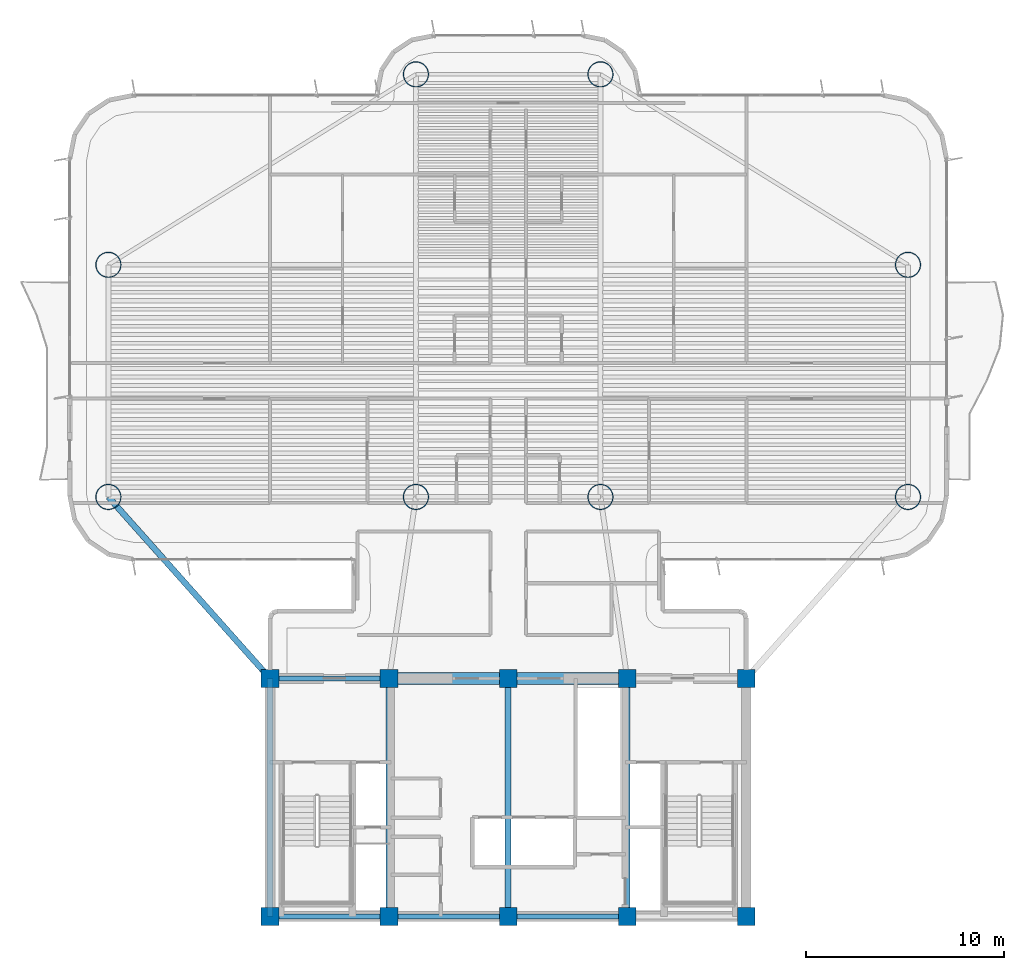
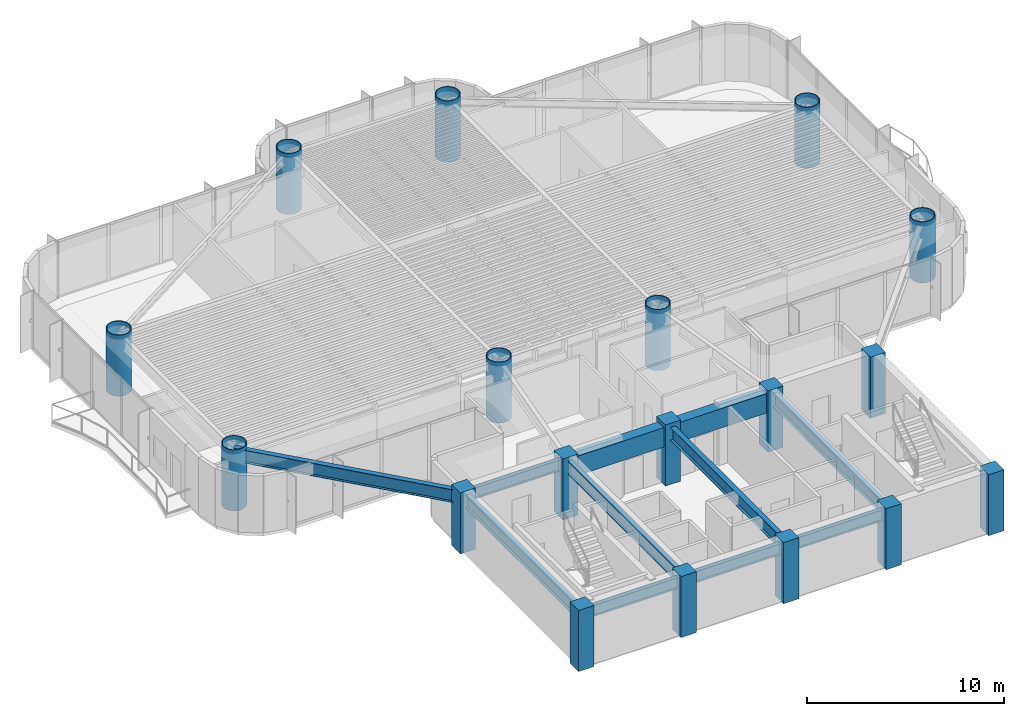
# One storey, part 1 of 17: 18 columns, 10 beams.
"""IFC4 building model written with IfcOpenShell, lengths in metres."""

import ifcopenshell
import ifcopenshell.guid

model = None  # the IFC model being written
_history = None  # IfcOwnerHistory: only IFC2X3 demands one
_inside = {}  # id of a spatial element -> (the spatial element, [elements in it])
_under = {}  # id of a project, library or spatial element -> (it, [spatial elements below it])
_declared = {}  # id of a project -> (the project, [libraries it declares])
_typed = {}  # id of a type object -> (the type object, [elements of that type])
_made_of = {}  # id of a material, layer set ... -> (it, [elements and type objects made of it])


def new_model(schema):
    """Start an empty IFC model of exactly this schema.

    Asked for "IFC4X3", IfcOpenShell would pick the latest addendum, in which some entities
    have other attributes; the version numbers below select the first issue.
    IFC2X3 requires an IfcOwnerHistory on every rooted entity: one is made here for all.
    """
    global model, _history
    if schema == "IFC4X3":
        model = ifcopenshell.file(schema_version=(4, 3, 0, 0))
    else:
        model = ifcopenshell.file(schema=schema)
    _inside.clear()
    _under.clear()
    _declared.clear()
    _typed.clear()
    _made_of.clear()
    _history = None
    if model.schema == "IFC2X3":
        org = make("IfcOrganization", Name="unknown")
        user = make(
            "IfcPersonAndOrganization",
            ThePerson=make("IfcPerson", FamilyName="unknown"),
            TheOrganization=org,
        )
        app = make(
            "IfcApplication",
            ApplicationDeveloper=org,
            Version="unknown",
            ApplicationFullName="unknown",
            ApplicationIdentifier="unknown",
        )
        _history = make(
            "IfcOwnerHistory",
            OwningUser=user,
            OwningApplication=app,
            ChangeAction="ADDED",
            CreationDate=0,
        )
    return model


def make(cls, **values):
    """One entity of the class cls with the attributes given. An attribute that is None is left unset."""
    return model.create_entity(
        cls, **{name: value for name, value in values.items() if value is not None}
    )


def rooted(cls, **values):
    """An entity with a GlobalId (a new one), such as an element, a storey or a relation."""
    return make(cls, GlobalId=ifcopenshell.guid.new(), OwnerHistory=_history, **values)


def si_unit(unit_type, name, prefix=None):
    """IfcSIUnit, for example si_unit("LENGTHUNIT", "METRE", prefix="MILLI")."""
    return make("IfcSIUnit", UnitType=unit_type, Prefix=prefix, Name=name)


def assignment(units):
    """IfcUnitAssignment: the units of a project."""
    return None if units is None else make("IfcUnitAssignment", Units=units)


def point(xyz):
    """IfcCartesianPoint."""
    return None if xyz is None else make("IfcCartesianPoint", Coordinates=xyz)


def direction(xyz):
    """IfcDirection."""
    return None if xyz is None else make("IfcDirection", DirectionRatios=xyz)


def frame(location, z_axis=None, x_axis=None):
    """IfcAxis2Placement3D, a coordinate frame: its origin and axes. An axis left out is left unset."""
    return make(
        "IfcAxis2Placement3D",
        Location=point(location),
        Axis=direction(z_axis),
        RefDirection=direction(x_axis),
    )


def frame_2d(location, x_axis=None):
    """IfcAxis2Placement2D, a coordinate frame in the plane: its origin and x axis."""
    return make(
        "IfcAxis2Placement2D", Location=point(location), RefDirection=direction(x_axis)
    )


def origin():
    """The frame at (0, 0, 0) with its axes left unset."""
    return frame((0.0, 0.0, 0.0))


def origin_2d():
    """The frame at (0, 0) in the plane with its x axis left unset."""
    return frame_2d((0.0, 0.0))


def place(relative_to, where):
    """IfcLocalPlacement: puts the frame where relative to a parent placement (None: the world)."""
    return make(
        "IfcLocalPlacement", PlacementRelTo=relative_to, RelativePlacement=where
    )


def context(
    kind, dimensions, precision=None, world=None, true_north=None, identifier=None
):
    """IfcGeometricRepresentationContext, for example the 3D "Model" context."""
    return make(
        "IfcGeometricRepresentationContext",
        ContextIdentifier=identifier,
        ContextType=kind,
        CoordinateSpaceDimension=dimensions,
        Precision=precision,
        WorldCoordinateSystem=world,
        TrueNorth=true_north,
    )


def subcontext(parent, identifier, kind, view, scale=None):
    """IfcGeometricRepresentationSubContext, for example "Body" below "Model"."""
    return make(
        "IfcGeometricRepresentationSubContext",
        ContextIdentifier=identifier,
        ContextType=kind,
        ParentContext=parent,
        TargetScale=scale,
        TargetView=view,
    )


def project(units=None, contexts=None):
    """IfcProject with its units and contexts."""
    return rooted(
        "IfcProject",
        Name="project",
        RepresentationContexts=contexts,
        UnitsInContext=assignment(units),
    )


def spatial(cls, under=None, at=None, **own):
    """A site, building, storey or space (cls), placed at a placement, below another one or the project."""
    s = rooted(cls, ObjectPlacement=at, **own)
    if under is not None:
        _under.setdefault(under.id(), (under, []))[1].append(s)
    return s


def profile(cls, at=None, kind="AREA", **sizes):
    """A parametric profile (cls). Its sizes go by their IFC names, for example OverallWidth=200.0."""
    return make(cls, ProfileType=kind, Position=at, **sizes)


def rectangle(**sizes):
    """IfcRectangleProfileDef."""
    return profile("IfcRectangleProfileDef", **sizes)


def hollow_circle(**sizes):
    """IfcCircleHollowProfileDef."""
    return profile("IfcCircleHollowProfileDef", **sizes)


def i_section(**sizes):
    """IfcIShapeProfileDef."""
    return profile("IfcIShapeProfileDef", **sizes)


def extrude(swept, where, along, depth):
    """IfcExtrudedAreaSolid: the profile swept, set in the frame where, extruded along a direction by depth."""
    return make(
        "IfcExtrudedAreaSolid",
        SweptArea=swept,
        Position=where,
        ExtrudedDirection=direction(along),
        Depth=depth,
    )


def shape(context_of_items, identifier, shape_type, items):
    """IfcShapeRepresentation: the items that make up one representation, for example the "Body"."""
    return make(
        "IfcShapeRepresentation",
        ContextOfItems=context_of_items,
        RepresentationIdentifier=identifier,
        RepresentationType=shape_type,
        Items=items,
    )


def source(mapping_origin, context_of_items, identifier, shape_type, items):
    """IfcRepresentationMap: a shape defined once, which mapped items show again and again."""
    return make(
        "IfcRepresentationMap",
        MappingOrigin=mapping_origin,
        MappedRepresentation=shape(context_of_items, identifier, shape_type, items),
    )


def transform(
    local_origin,
    x_axis=None,
    y_axis=None,
    z_axis=None,
    scale=None,
    scale2=None,
    scale3=None,
    uniform=True,
):
    """IfcCartesianTransformationOperator3D, or its non-uniform kind. x_axis, y_axis, z_axis: its Axis1, 2, 3."""
    if uniform:
        return make(
            "IfcCartesianTransformationOperator3D",
            Axis1=direction(x_axis),
            Axis2=direction(y_axis),
            LocalOrigin=point(local_origin),
            Scale=scale,
            Axis3=direction(z_axis),
        )
    return make(
        "IfcCartesianTransformationOperator3DnonUniform",
        Axis1=direction(x_axis),
        Axis2=direction(y_axis),
        LocalOrigin=point(local_origin),
        Scale=scale,
        Axis3=direction(z_axis),
        Scale2=scale2,
        Scale3=scale3,
    )


def mapped(mapping_source, mapping_target):
    """IfcMappedItem: shows the shape of a source again, moved by a transform."""
    return make(
        "IfcMappedItem", MappingSource=mapping_source, MappingTarget=mapping_target
    )


def material(Name=None, Category=None):
    """IfcMaterial."""
    return make("IfcMaterial", Name=Name, Category=Category)


def material_profile(
    of_material, cross_section, Name=None, Category=None, Priority=None
):
    """IfcMaterialProfile: a cross section and its material."""
    return make(
        "IfcMaterialProfile",
        Name=Name,
        Material=of_material,
        Profile=cross_section,
        Priority=Priority,
        Category=Category,
    )


def profile_set(profiles, Name=None, composite=None):
    """IfcMaterialProfileSet."""
    return make(
        "IfcMaterialProfileSet",
        Name=Name,
        MaterialProfiles=profiles,
        CompositeProfile=composite,
    )


def made_of(thing, what):
    """Note that an element or type object is made of a material, layer set ...; save() writes the relation."""
    if what is not None:
        _made_of.setdefault(what.id(), (what, []))[1].append(thing)
    return thing


def type_object(cls, material=None, **own):
    """A type object (cls), such as IfcWallType, which elements share."""
    return made_of(rooted(cls, **own), material)


def element(
    cls,
    number,
    at=None,
    inside=None,
    cuts=None,
    type_object=None,
    material=None,
    context=None,
    identifier="Body",
    shape_type=None,
    held_by="IfcProductDefinitionShape",
    body=None,
    shapes=None,
    **own,
):
    """One element of the class cls, such as IfcWall. Its Tag is "e" and its number.

    at: its placement. inside: the storey or other place that contains it. cuts: it is an
    opening in that element (IfcRelVoidsElement). A single representation is given by context,
    identifier, shape_type and body (its items); several are given by shapes. held_by: the class
    of the entity that holds the representations. save() writes the other relations.
    """
    e = rooted(cls, Tag="e%d" % number, ObjectPlacement=at, **own)
    if body is not None:
        shapes = [shape(context, identifier, shape_type, body)]
    if shapes is not None:
        e.Representation = make(held_by, Representations=shapes)
    if inside is not None:
        _inside.setdefault(inside.id(), (inside, []))[1].append(e)
    if cuts is not None:
        rooted(
            "IfcRelVoidsElement", RelatingBuildingElement=cuts, RelatedOpeningElement=e
        )
    if type_object is not None:
        _typed.setdefault(type_object.id(), (type_object, []))[1].append(e)
    return made_of(e, material)


def aggregate(whole, parts):
    """IfcRelAggregates: a whole, such as a stair, and the parts it consists of."""
    return rooted("IfcRelAggregates", RelatingObject=whole, RelatedObjects=parts)


def save(model, path):
    """Write the relations noted so far, then the file.

    IfcRelAggregates (storeys below a building ...), IfcRelContainedInSpatialStructure (elements
    in a storey), IfcRelDefinesByType, IfcRelAssociatesMaterial and IfcRelDeclares: one each for
    every whole, place, type object, material and project.
    """
    for whole, parts in _under.values():
        aggregate(whole, parts)
    for where, things in _inside.values():
        rooted(
            "IfcRelContainedInSpatialStructure",
            RelatedElements=things,
            RelatingStructure=where,
        )
    for kind, things in _typed.values():
        rooted("IfcRelDefinesByType", RelatedObjects=things, RelatingType=kind)
    for what, things in _made_of.values():
        rooted("IfcRelAssociatesMaterial", RelatedObjects=things, RelatingMaterial=what)
    for by, libraries in _declared.values():
        rooted("IfcRelDeclares", RelatingContext=by, RelatedDefinitions=libraries)
    model.write(path)


model = new_model("IFC4")

# Units and contexts
model_context = context("Model", 3, precision=1e-05, world=origin(), true_north=direction((0.0, 1.0)))
body_context = subcontext(model_context, "Body", "Model", "MODEL_VIEW")
ifc_project = project(units=[si_unit("LENGTHUNIT", "METRE"), si_unit("AREAUNIT", "SQUARE_METRE"), si_unit("VOLUMEUNIT", "CUBIC_METRE"), si_unit("PLANEANGLEUNIT", "RADIAN"), si_unit("MASSUNIT", "GRAM", prefix="KILO")], contexts=[model_context])

# Site, building, storey
site_placement = place(None, origin())
site = spatial("IfcSite", under=ifc_project, at=site_placement, CompositionType="ELEMENT")
building_placement = place(site_placement, origin())
building = spatial("IfcBuilding", under=site, at=building_placement, Name="Brelvock Crest Care Tower", CompositionType="ELEMENT")
storey_placement = place(building_placement, frame((0.0, 0.0, 97.3798828125)))
storey = spatial("IfcBuildingStorey", under=building, at=storey_placement, Name="L24", CompositionType="ELEMENT", Elevation=97.3798828125)

# Columns
ifc_material_1 = material(Name="Concrete S80 (80 MPa)", Category="concrete")
ifc_material_profile_1 = material_profile(ifc_material_1, rectangle(XDim=0.89990234375, YDim=0.89990234375, at=origin_2d()), Name="RC900x900")
ifc_profile_set_1 = profile_set([ifc_material_profile_1], Name="Concrete S80 (80 MPa)")
column_type_1 = type_object("IfcColumnType", Name="COL-RC2", PredefinedType="COLUMN", material=ifc_profile_set_1)
shared_shape_1 = source(origin(), body_context, "Body", "SweptSolid", [
    extrude(rectangle(XDim=0.89990234375, YDim=0.89990234375, at=origin_2d()), origin(), (0.0, 0.0, 1.0), 3.780029296875),
])
for number, where, z_axis, x_axis, name in (
    (1, (24.0, 6.0, 0.0), (0.0, 0.0, 1.0), (1.0, 0.0, 0.0), "L24 Core Column CC-01"),
    (2, (30.0, 6.0, 0.0), (0.0, 0.0, 1.0), (1.0, 0.0, 0.0), "L24 Core Column CC-02"),
    (3, (36.0, 6.0, 0.0), (0.0, 0.0, 1.0), (1.0, 0.0, 0.0), "L24 Core Column CC-03"),
    (4, (42.0, 6.0, 0.0), (0.0, 0.0, 1.0), (1.0, 0.0, 0.0), "L24 Core Column CC-04"),
    (5, (48.0, 6.0, 0.0), (0.0, 0.0, 1.0), (1.0, 0.0, 0.0), "L24 Core Column CC-05"),
    (6, (24.0, 18.0, 0.0), (0.0, 0.0, 1.0), (1.0, 0.0, 0.0), "L24 Core Column CC-06"),
    (7, (30.0, 18.0, 0.0), (0.0, 0.0, 1.0), (1.0, 0.0, 0.0), "L24 Core Column CC-07"),
    (8, (36.0, 18.0, 0.0), (0.0, 0.0, 1.0), (1.0, 0.0, 0.0), "L24 Core Column CC-08"),
    (9, (42.0, 18.0, 0.0), (0.0, 0.0, 1.0), (1.0, 0.0, 0.0), "L24 Core Column CC-09"),
    (10, (48.0, 18.0, 0.0), (0.0, 0.0, 1.0), (1.0, 0.0, 0.0), "L24 Core Column CC-10"),
):
    element("IfcColumn", number, at=place(storey_placement, frame(where, z_axis=z_axis, x_axis=x_axis)), inside=storey, type_object=column_type_1, Name=name, PredefinedType="COLUMN", context=body_context, shape_type="MappedRepresentation", body=[
        mapped(shared_shape_1, transform((0.0, 0.0, 0.0), x_axis=(1.0, 0.0, 0.0), y_axis=(0.0, 1.0, 0.0), z_axis=(0.0, 0.0, 1.0), scale=1.0)),
    ])
ifc_material_2 = material(Name="Steel Grade 350", Category="steel")
ifc_material_profile_2 = material_profile(ifc_material_2, hollow_circle(Radius=0.64990234375, WallThickness=0.044921875, at=origin_2d()), Name="CFT1300x45")
ifc_profile_set_2 = profile_set([ifc_material_profile_2], Name="Steel Grade 350")
column_type_2 = type_object("IfcColumnType", Name="COL-MC2", PredefinedType="COLUMN", material=ifc_profile_set_2)
shared_shape_2 = source(origin(), body_context, "Body", "SweptSolid", [
    extrude(hollow_circle(Radius=0.64990234375, WallThickness=0.044921875, at=origin_2d()), origin(), (0.0, 0.0, 1.0), 3.780029296875),
])
for number, where, z_axis, x_axis, name in (
    (11, (15.85009765625, 27.14990234375, 0.0), (0.0, 0.0, 1.0), (1.0, 0.0, 0.0), "L24 Tower Column M1"),
    (12, (15.85009765625, 38.85009765625, 0.0), (0.0, 0.0, 1.0), (1.0, 0.0, 0.0), "L24 Tower Column M2"),
    (13, (56.14990234375, 27.14990234375, 0.0), (0.0, 0.0, 1.0), (1.0, 0.0, 0.0), "L24 Tower Column M3"),
    (14, (56.14990234375, 38.85009765625, 0.0), (0.0, 0.0, 1.0), (1.0, 0.0, 0.0), "L24 Tower Column M4"),
    (15, (31.35009765625, 27.14990234375, 0.0), (0.0, 0.0, 1.0), (1.0, 0.0, 0.0), "L24 Tower Column M5"),
    (16, (40.64990234375, 27.14990234375, 0.0), (0.0, 0.0, 1.0), (1.0, 0.0, 0.0), "L24 Tower Column M6"),
    (17, (31.35009765625, 48.449951171875, 0.0), (0.0, 0.0, 1.0), (1.0, 0.0, 0.0), "L24 Tower Column M7"),
    (18, (40.64990234375, 48.449951171875, 0.0), (0.0, 0.0, 1.0), (1.0, 0.0, 0.0), "L24 Tower Column M8"),
):
    element("IfcColumn", number, at=place(storey_placement, frame(where, z_axis=z_axis, x_axis=x_axis)), inside=storey, type_object=column_type_2, Name=name, PredefinedType="COLUMN", context=body_context, shape_type="MappedRepresentation", body=[
        mapped(shared_shape_2, transform((0.0, 0.0, 0.0), x_axis=(1.0, 0.0, 0.0), y_axis=(0.0, 1.0, 0.0), z_axis=(0.0, 0.0, 1.0), scale=1.0)),
    ])

# Beams
ifc_material_profile_3 = material_profile(ifc_material_1, rectangle(XDim=0.60009765625, YDim=1.199951171875, at=origin_2d()), Name="RC600x1200")
ifc_profile_set_3 = profile_set([ifc_material_profile_3], Name="Concrete S80 (80 MPa)")
beam_type_1 = type_object("IfcBeamType", Name="BM-LN1", PredefinedType="LINTEL", material=ifc_profile_set_3)
shared_shape_3 = source(origin(), body_context, "Body", "SweptSolid", [
    extrude(rectangle(XDim=0.60009765625, YDim=1.199951171875, at=origin_2d()), origin(), (0.0, 0.0, 1.0), 12.0),
])
beam_1_placement = place(storey_placement, frame((30.0, 18.0, 2.93017578125), z_axis=(1.0, 0.0, 0.0), x_axis=(0.0, 1.0, 0.0)))
element("IfcBeam", 19, at=beam_1_placement, inside=storey, type_object=beam_type_1, Name="L24 Core Coupling Lintel Beam", PredefinedType="LINTEL", context=body_context, shape_type="MappedRepresentation", body=[
    mapped(shared_shape_3, transform((0.0, 0.0, 0.0), x_axis=(1.0, 0.0, 0.0), y_axis=(0.0, 1.0, 0.0), z_axis=(0.0, 0.0, 1.0), scale=1.0)),
])
ifc_material_profile_4 = material_profile(ifc_material_2, i_section(OverallWidth=0.25, OverallDepth=0.699951171875, WebThickness=0.011962890625, FlangeThickness=0.02001953125, at=origin_2d()), Name="700WB150")
ifc_profile_set_4 = profile_set([ifc_material_profile_4], Name="Steel Grade 350")
beam_type_2 = type_object("IfcBeamType", Name="BM-G4", PredefinedType="BEAM", material=ifc_profile_set_4)
shared_shape_4 = source(origin(), body_context, "Body", "SweptSolid", [
    extrude(i_section(OverallWidth=0.25, OverallDepth=0.699951171875, WebThickness=0.011962890625, FlangeThickness=0.02001953125, at=origin_2d()), origin(), (0.0, 0.0, 1.0), 6.0),
])
for number, where, z_axis, x_axis, name in (
    (20, (24.0, 6.0, 3.18017578125), (1.0, 0.0, 0.0), (0.0, 1.0, 0.0), "BM-CORES-L24-1"),
    (21, (24.0, 18.0, 3.18017578125), (1.0, 0.0, 0.0), (0.0, 1.0, 0.0), "BM-COREN-L24-1"),
    (22, (30.0, 6.0, 3.18017578125), (1.0, 0.0, 0.0), (0.0, 1.0, 0.0), "BM-CORES-L24-2"),
    (23, (36.0, 6.0, 3.18017578125), (1.0, 0.0, 0.0), (0.0, 1.0, 0.0), "BM-CORES-L24-3"),
):
    element("IfcBeam", number, at=place(storey_placement, frame(where, z_axis=z_axis, x_axis=x_axis)), inside=storey, type_object=beam_type_2, Name=name, PredefinedType="BEAM", context=body_context, shape_type="MappedRepresentation", body=[
        mapped(shared_shape_4, transform((0.0, 0.0, 0.0), x_axis=(1.0, 0.0, 0.0), y_axis=(0.0, 1.0, 0.0), z_axis=(0.0, 0.0, 1.0), scale=1.0)),
    ])
ifc_material_profile_5 = material_profile(ifc_material_2, i_section(OverallWidth=0.300048828125, OverallDepth=0.800048828125, WebThickness=0.013916015625, FlangeThickness=0.02197265625, at=origin_2d()), Name="800WB192")
ifc_profile_set_5 = profile_set([ifc_material_profile_5], Name="Steel Grade 350")
beam_type_3 = type_object("IfcBeamType", Name="BM-G5", PredefinedType="BEAM", material=ifc_profile_set_5)
shared_shape_5 = source(origin(), body_context, "Body", "SweptSolid", [
    extrude(i_section(OverallWidth=0.300048828125, OverallDepth=0.800048828125, WebThickness=0.013916015625, FlangeThickness=0.02197265625, at=origin_2d()), origin(), (0.0, 0.0, 1.0), 12.0),
])
for number, where, z_axis, x_axis, name in (
    (24, (24.0, 6.0, 3.130126953125), (0.0, 1.0, 0.0), (-1.0, 0.0, 0.0), "BM-COREX-L24-1"),
    (25, (30.0, 6.0, 3.130126953125), (0.0, 1.0, 0.0), (-1.0, 0.0, 0.0), "BM-COREX-L24-2"),
    (26, (36.0, 6.0, 3.130126953125), (0.0, 1.0, 0.0), (-1.0, 0.0, 0.0), "BM-COREX-L24-3"),
    (27, (42.0, 6.0, 3.130126953125), (0.0, 1.0, 0.0), (-1.0, 0.0, 0.0), "BM-COREX-L24-4"),
):
    element("IfcBeam", number, at=place(storey_placement, frame(where, z_axis=z_axis, x_axis=x_axis)), inside=storey, type_object=beam_type_3, Name=name, PredefinedType="BEAM", context=body_context, shape_type="MappedRepresentation", body=[
        mapped(shared_shape_5, transform((0.0, 0.0, 0.0), x_axis=(1.0, 0.0, 0.0), y_axis=(0.0, 1.0, 0.0), z_axis=(0.0, 0.0, 1.0), scale=1.0)),
    ])
shared_shape_6 = source(origin(), body_context, "Body", "SweptSolid", [
    extrude(i_section(OverallWidth=0.300048828125, OverallDepth=0.800048828125, WebThickness=0.013916015625, FlangeThickness=0.02197265625, at=origin_2d()), origin(), (0.0, 0.0, 1.0), 12.253173828125),
])
beam_2_placement = place(storey_placement, frame((24.0, 18.0, 3.130126953125), z_axis=(-0.665122829149, 0.746733970129, 0.0), x_axis=(-0.746733970129, -0.665122829149, 0.0)))
element("IfcBeam", 28, at=beam_2_placement, inside=storey, type_object=beam_type_3, Name="BM-THRO-W-L24", PredefinedType="BEAM", context=body_context, shape_type="MappedRepresentation", body=[
    mapped(shared_shape_6, transform((0.0, 0.0, 0.0), x_axis=(1.0, 0.0, 0.0), y_axis=(0.0, 1.0, 0.0), z_axis=(0.0, 0.0, 1.0), scale=1.0)),
])

save(model, "model.ifc")
